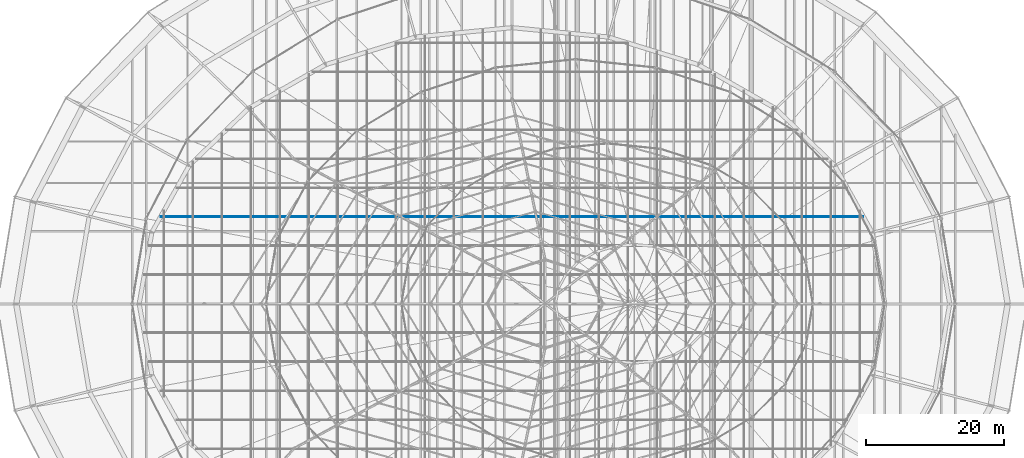
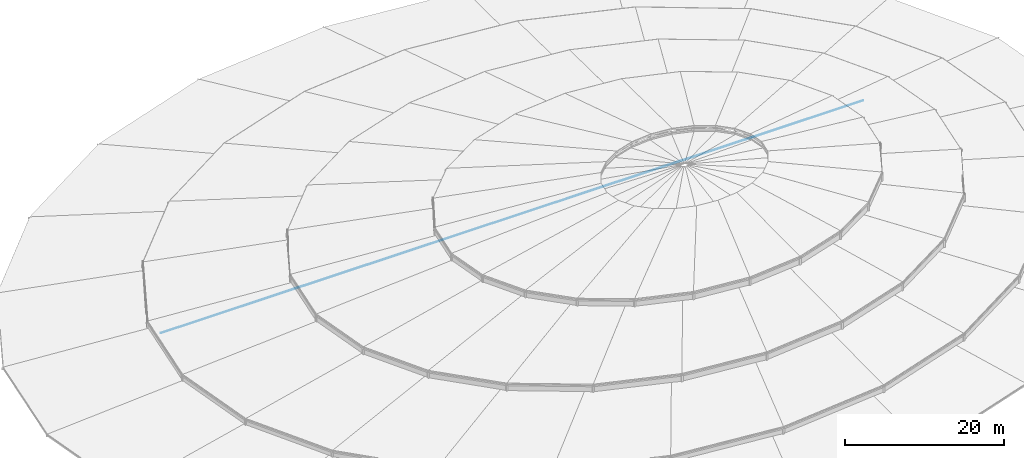
# One storey, part 107 of 184: 1 member.
"""IFC4 building model written with IfcOpenShell, lengths in metres."""

from ifc_helpers import new_model, si_unit, direction, frame, origin, origin_2d, place, context, subcontext, project, spatial, circle, extrude, material, material_profile, profile_set, type_object, element, save


model = new_model("IFC4")

# Units and contexts
model_context = context("Model", 3, precision=1e-05, world=origin(), true_north=direction((0.0, 1.0)))
body_context = subcontext(model_context, "Body", "Model", "MODEL_VIEW")
ifc_project = project(units=[si_unit("LENGTHUNIT", "METRE"), si_unit("AREAUNIT", "SQUARE_METRE"), si_unit("VOLUMEUNIT", "CUBIC_METRE"), si_unit("PLANEANGLEUNIT", "RADIAN"), si_unit("MASSUNIT", "GRAM", prefix="KILO")], contexts=[model_context])

# Site, building, storey
site_placement = place(None, origin())
site = spatial("IfcSite", under=ifc_project, at=site_placement, CompositionType="ELEMENT")
building_placement = place(site_placement, origin())
building = spatial("IfcBuilding", under=site, at=building_placement, Name="Kalgoora Escarpment Arena", CompositionType="ELEMENT")
storey_placement = place(building_placement, frame((0.0, 0.0, 27.60009765625)))
storey = spatial("IfcBuildingStorey", under=building, at=storey_placement, Name="Roof Level", CompositionType="ELEMENT", Elevation=27.60009765625)

# Member
ifc_material = material(Name="High-tensile spiral strand steel Grade 450 (350 MPa)", Category="steel")
ifc_material_profile = material_profile(ifc_material, circle(Radius=0.0439453125, at=origin_2d()))
ifc_profile_set = profile_set([ifc_material_profile], Name="High-tensile spiral strand steel Grade 450 (350 MPa)")
member_type = type_object("IfcMemberType", Name="MEM-CABLE-88", PredefinedType="USERDEFINED", material=ifc_profile_set)
member_placement = place(storey_placement, frame((41.49658203125, 76.60009765625, -1.25), z_axis=(1.0, 0.0, 0.0), x_axis=(0.0, 1.0, 0.0)))
element("IfcMember", 1, at=member_placement, inside=storey, type_object=member_type, Name="Roof saddle hanging cable X-12", ObjectType="CABLE", PredefinedType="USERDEFINED", context=body_context, shape_type="SweptSolid", body=[
    extrude(circle(Radius=0.0439453125, at=origin_2d()), origin(), (0.0, 0.0, 1.0), 101.806884765625),
])

save(model, "model.ifc")
